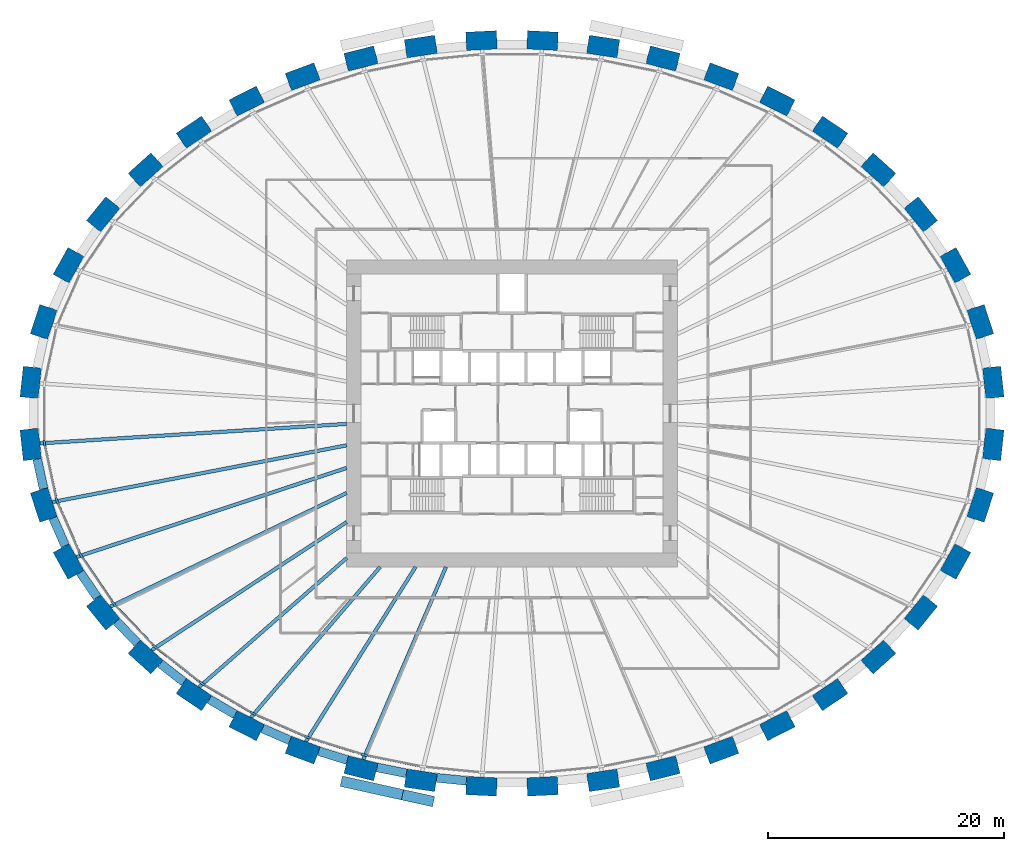
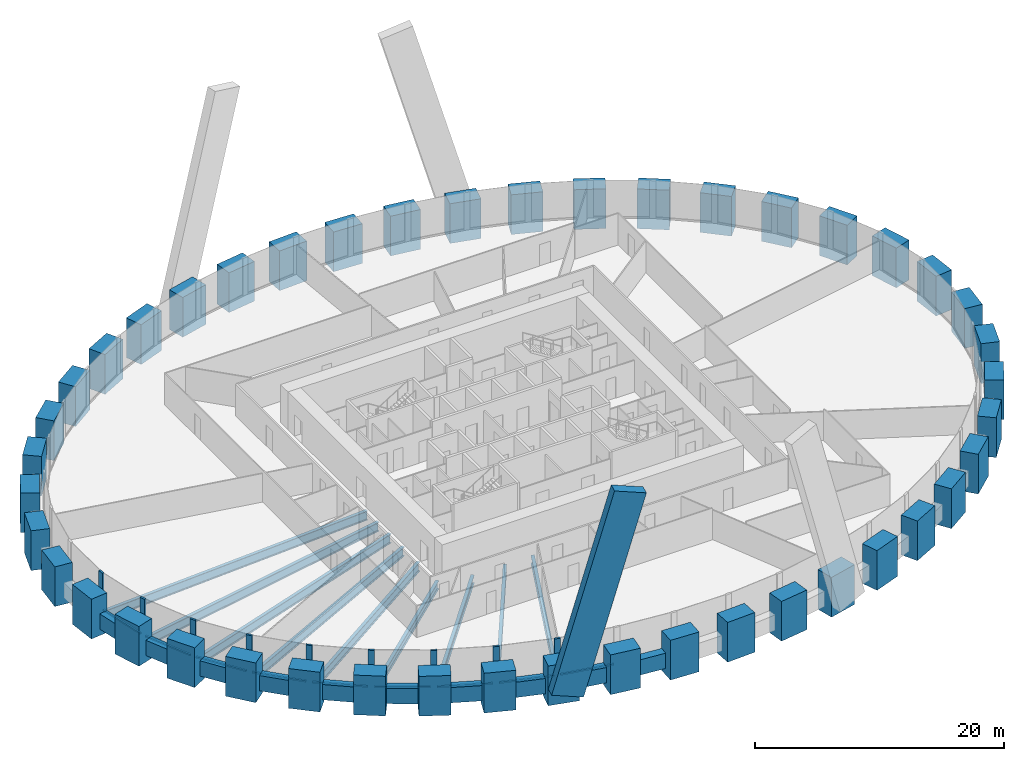
# One storey, part 1 of 11: 44 columns, 19 beams, 19 members, 1 element without a shape of its own.
"""IFC4 building model written with IfcOpenShell, lengths in metres."""

from ifc_helpers import new_model, si_unit, direction, frame, origin, origin_2d, place, context, subcontext, project, spatial, rectangle, i_section, extrude, source, transform, mapped, material, material_profile, profile_set, type_object, element, aggregate, save


model = new_model("IFC4")

# Units and contexts
model_context = context("Model", 3, precision=1e-05, world=origin(), true_north=direction((0.0, 1.0)))
body_context = subcontext(model_context, "Body", "Model", "MODEL_VIEW")
ifc_project = project(units=[si_unit("LENGTHUNIT", "METRE"), si_unit("AREAUNIT", "SQUARE_METRE"), si_unit("VOLUMEUNIT", "CUBIC_METRE"), si_unit("PLANEANGLEUNIT", "RADIAN"), si_unit("MASSUNIT", "GRAM", prefix="KILO")], contexts=[model_context])

# Site, building, storey
site_placement = place(None, origin())
site = spatial("IfcSite", under=ifc_project, at=site_placement, CompositionType="ELEMENT")
building_placement = place(site_placement, origin())
building = spatial("IfcBuilding", under=site, at=building_placement, Name="Embergate Tower", CompositionType="ELEMENT")
storey_placement = place(building_placement, frame((0.0, 0.0, 73.699951171875)))
storey = spatial("IfcBuildingStorey", under=building, at=storey_placement, Name="L14", CompositionType="ELEMENT", Elevation=73.699951171875)

# Columns
ifc_material_1 = material(Name="Concrete C70", Category="concrete")
ifc_material_profile_1 = material_profile(ifc_material_1, rectangle(XDim=1.550048828125, YDim=2.60009765625, at=origin_2d()), Name="RC 1550x2600")
ifc_profile_set_1 = profile_set([ifc_material_profile_1], Name="Concrete C70")
column_type = type_object("IfcColumnType", Name="Ring column RC 1550x2600 C70", PredefinedType="COLUMN", material=ifc_profile_set_1)
shared_shape_1 = source(origin(), body_context, "Body", "SweptSolid", [
    extrude(rectangle(XDim=1.550048828125, YDim=2.60009765625, at=origin_2d()), origin(), (0.0, 0.0, 1.0), 3.89990234375),
])
for number, where, z_axis, x_axis, name in (
    (1, (40.7529296875, 2.623046875, -1.39990234375), (0.0, 0.0, 1.0), (0.99428589498, 0.106749983816, 0.0), "COL-L14-00"),
    (2, (39.65087890625, 7.7470703125, -1.39990234375), (0.0, 0.0, 1.0), (0.950754033697, 0.309946394413, 0.0), "COL-L14-01"),
    (3, (37.550048828125, 12.5380859375, -1.39990234375), (0.0, 0.0, 1.0), (0.873500465855, 0.486823311018, 0.0), "COL-L14-02"),
    (4, (34.615966796875, 16.85302734375, -1.39990234375), (0.0, 0.0, 1.0), (0.775925311702, 0.630824786022, 0.0), "COL-L14-03"),
    (5, (31.02490234375, 20.618896484375, -1.39990234375), (0.0, 0.0, 1.0), (0.669208424634, 0.74307475021, 0.0), "COL-L14-04"),
    (6, (26.930908203125, 23.81396484375, -1.39990234375), (0.0, 0.0, 1.0), (0.560393279442, 0.828226643109, 0.0), "COL-L14-05"),
    (7, (22.464111328125, 26.44091796875, -1.39990234375), (0.0, 0.0, 1.0), (0.453010512651, 0.891505174089, 0.0), "COL-L14-06"),
    (8, (17.721923828125, 28.514892578125, -1.39990234375), (0.0, 0.0, 1.0), (0.348343015724, 0.93736713373, 0.0), "COL-L14-07"),
    (9, (12.785888671875, 30.052001953125, -1.39990234375), (0.0, 0.0, 1.0), (0.24650851817, 0.969140624713, 0.0), "COL-L14-08"),
    (10, (7.720947265625, 31.068115234375, -1.39990234375), (0.0, 0.0, 1.0), (0.146929011949, 0.989147039346, 0.0), "COL-L14-09"),
    (11, (2.58203125, 31.572998046875, -1.39990234375), (0.0, 0.0, 1.0), (0.048814904854, 0.998807841912, 0.0), "COL-L14-10"),
    (12, (-2.58203125, 31.572998046875, -1.39990234375), (0.0, 0.0, 1.0), (-0.048814904854, 0.998807841912, 0.0), "COL-L14-11"),
    (13, (-7.720947265625, 31.068115234375, -1.39990234375), (0.0, 0.0, 1.0), (-0.146929011949, 0.989147039346, 0.0), "COL-L14-12"),
    (14, (-12.785888671875, 30.052001953125, -1.39990234375), (0.0, 0.0, 1.0), (-0.24650851817, 0.969140624713, 0.0), "COL-L14-13"),
    (15, (-17.721923828125, 28.514892578125, -1.39990234375), (0.0, 0.0, 1.0), (-0.348343015724, 0.93736713373, 0.0), "COL-L14-14"),
    (16, (-22.464111328125, 26.44091796875, -1.39990234375), (0.0, 0.0, 1.0), (-0.453010512651, 0.891505174089, 0.0), "COL-L14-15"),
    (17, (-26.930908203125, 23.81396484375, -1.39990234375), (0.0, 0.0, 1.0), (-0.560393279442, 0.828226643109, 0.0), "COL-L14-16"),
    (18, (-31.02490234375, 20.618896484375, -1.39990234375), (0.0, 0.0, 1.0), (-0.669208424634, 0.74307475021, 0.0), "COL-L14-17"),
    (19, (-34.615966796875, 16.85302734375, -1.39990234375), (0.0, 0.0, 1.0), (-0.775925311702, 0.630824786022, 0.0), "COL-L14-18"),
    (20, (-37.550048828125, 12.5380859375, -1.39990234375), (0.0, 0.0, 1.0), (-0.873500465855, 0.486823311018, 0.0), "COL-L14-19"),
    (21, (-39.65087890625, 7.7470703125, -1.39990234375), (0.0, 0.0, 1.0), (-0.950754033697, 0.309946394413, 0.0), "COL-L14-20"),
    (22, (-40.7529296875, 2.623046875, -1.39990234375), (0.0, 0.0, 1.0), (-0.99428589498, 0.106749983816, 0.0), "COL-L14-21"),
    (23, (-40.7529296875, -2.623046875, -1.39990234375), (0.0, 0.0, 1.0), (-0.99428589498, -0.106749983816, 0.0), "COL-L14-22"),
    (24, (-39.65087890625, -7.7470703125, -1.39990234375), (0.0, 0.0, 1.0), (-0.950754033697, -0.309946394413, 0.0), "COL-L14-23"),
    (25, (-37.550048828125, -12.5380859375, -1.39990234375), (0.0, 0.0, 1.0), (-0.873500465855, -0.486823311018, 0.0), "COL-L14-24"),
    (26, (-34.615966796875, -16.85302734375, -1.39990234375), (0.0, 0.0, 1.0), (-0.775925311702, -0.630824786022, 0.0), "COL-L14-25"),
    (27, (-31.02490234375, -20.618896484375, -1.39990234375), (0.0, 0.0, 1.0), (-0.669208424634, -0.74307475021, 0.0), "COL-L14-26"),
    (28, (-26.930908203125, -23.81396484375, -1.39990234375), (0.0, 0.0, 1.0), (-0.560393279442, -0.828226643109, 0.0), "COL-L14-27"),
    (29, (-22.464111328125, -26.44091796875, -1.39990234375), (0.0, 0.0, 1.0), (-0.453010512651, -0.891505174089, 0.0), "COL-L14-28"),
    (30, (-17.721923828125, -28.514892578125, -1.39990234375), (0.0, 0.0, 1.0), (-0.348343015724, -0.93736713373, 0.0), "COL-L14-29"),
    (31, (-12.785888671875, -30.052001953125, -1.39990234375), (0.0, 0.0, 1.0), (-0.24650851817, -0.969140624713, 0.0), "COL-L14-30"),
    (32, (-7.720947265625, -31.068115234375, -1.39990234375), (0.0, 0.0, 1.0), (-0.146929011949, -0.989147039346, 0.0), "COL-L14-31"),
    (33, (-2.58203125, -31.572998046875, -1.39990234375), (0.0, 0.0, 1.0), (-0.048814904854, -0.998807841912, 0.0), "COL-L14-32"),
    (34, (2.58203125, -31.572998046875, -1.39990234375), (0.0, 0.0, 1.0), (0.048814904854, -0.998807841912, 0.0), "COL-L14-33"),
    (35, (7.720947265625, -31.068115234375, -1.39990234375), (0.0, 0.0, 1.0), (0.146929011949, -0.989147039346, 0.0), "COL-L14-34"),
    (36, (12.785888671875, -30.052001953125, -1.39990234375), (0.0, 0.0, 1.0), (0.24650851817, -0.969140624713, 0.0), "COL-L14-35"),
    (37, (17.721923828125, -28.514892578125, -1.39990234375), (0.0, 0.0, 1.0), (0.348343015724, -0.93736713373, 0.0), "COL-L14-36"),
    (38, (22.464111328125, -26.44091796875, -1.39990234375), (0.0, 0.0, 1.0), (0.453010512651, -0.891505174089, 0.0), "COL-L14-37"),
    (39, (26.930908203125, -23.81396484375, -1.39990234375), (0.0, 0.0, 1.0), (0.560393279442, -0.828226643109, 0.0), "COL-L14-38"),
    (40, (31.02490234375, -20.618896484375, -1.39990234375), (0.0, 0.0, 1.0), (0.669208424634, -0.74307475021, 0.0), "COL-L14-39"),
    (41, (34.615966796875, -16.85302734375, -1.39990234375), (0.0, 0.0, 1.0), (0.775925311702, -0.630824786022, 0.0), "COL-L14-40"),
    (42, (37.550048828125, -12.5380859375, -1.39990234375), (0.0, 0.0, 1.0), (0.873500465855, -0.486823311018, 0.0), "COL-L14-41"),
    (43, (39.65087890625, -7.7470703125, -1.39990234375), (0.0, 0.0, 1.0), (0.950754033697, -0.309946394413, 0.0), "COL-L14-42"),
    (44, (40.7529296875, -2.623046875, -1.39990234375), (0.0, 0.0, 1.0), (0.99428589498, -0.106749983816, 0.0), "COL-L14-43"),
):
    element("IfcColumn", number, at=place(storey_placement, frame(where, z_axis=z_axis, x_axis=x_axis)), inside=storey, type_object=column_type, Name=name, PredefinedType="COLUMN", context=body_context, shape_type="MappedRepresentation", body=[
        mapped(shared_shape_1, transform((0.0, 0.0, 0.0))),
    ])

# Beams
ifc_material_profile_2 = material_profile(ifc_material_1, rectangle(XDim=0.75, YDim=1.5, at=origin_2d()), Name="RC 750x1500")
ifc_profile_set_2 = profile_set([ifc_material_profile_2], Name="Concrete C70")
beam_type_1 = type_object("IfcBeamType", Name="Spandrel beam RC 750x1500 C70", PredefinedType="BEAM", material=ifc_profile_set_2)
shared_shape_2 = source(origin(), body_context, "Body", "SweptSolid", [
    extrude(rectangle(XDim=0.75, YDim=1.5, at=origin_2d()), origin(), (0.0, 0.0, 1.0), 2.5498046875),
])
beam_1_placement = place(storey_placement, frame((-33.48388671875, -17.60791015625, 0.0), z_axis=(0.689760361446, -0.724037736432, 0.0), x_axis=(0.724037736432, 0.689760361446, 0.0)))
element("IfcBeam", 45, at=beam_1_placement, inside=storey, type_object=beam_type_1, Name="SPN-L14-25", PredefinedType="BEAM", context=body_context, shape_type="MappedRepresentation", body=[
    mapped(shared_shape_2, transform((0.0, 0.0, 0.0))),
])
shared_shape_3 = source(origin(), body_context, "Body", "SweptSolid", [
    extrude(rectangle(XDim=0.75, YDim=1.5, at=origin_2d()), origin(), (0.0, 0.0, 1.0), 2.5693359375),
])
beam_2_placement = place(storey_placement, frame((-40.201904296875, -3.87109375, 0.0), z_axis=(0.210093623492, -0.977681271871, 0.0), x_axis=(0.977681271871, 0.210093623492, 0.0)))
element("IfcBeam", 46, at=beam_2_placement, inside=storey, type_object=beam_type_1, Name="SPN-L14-22", PredefinedType="BEAM", context=body_context, shape_type="MappedRepresentation", body=[
    mapped(shared_shape_3, transform((0.0, 0.0, 0.0))),
])
shared_shape_4 = source(origin(), body_context, "Body", "SweptSolid", [
    extrude(rectangle(XDim=0.75, YDim=1.5, at=origin_2d()), origin(), (0.0, 0.0, 1.0), 2.56591796875),
])
beam_3_placement = place(storey_placement, frame((-38.862060546875, -8.85693359375, 0.0), z_axis=(0.401427690069, -0.915890719271, 0.0), x_axis=(0.915890719271, 0.401427690069, 0.0)))
element("IfcBeam", 47, at=beam_3_placement, inside=storey, type_object=beam_type_1, Name="SPN-L14-23", PredefinedType="BEAM", context=body_context, shape_type="MappedRepresentation", body=[
    mapped(shared_shape_4, transform((0.0, 0.0, 0.0))),
])
shared_shape_5 = source(origin(), body_context, "Body", "SweptSolid", [
    extrude(rectangle(XDim=0.75, YDim=1.5, at=origin_2d()), origin(), (0.0, 0.0, 1.0), 2.556640625),
])
beam_4_placement = place(storey_placement, frame((-36.555908203125, -13.471923828125, 0.0), z_axis=(0.562432772417, -0.826843018058, 0.0), x_axis=(0.826843018058, 0.562432772417, 0.0)))
element("IfcBeam", 48, at=beam_4_placement, inside=storey, type_object=beam_type_1, Name="SPN-L14-24", PredefinedType="BEAM", context=body_context, shape_type="MappedRepresentation", body=[
    mapped(shared_shape_5, transform((0.0, 0.0, 0.0))),
])
shared_shape_6 = source(origin(), body_context, "Body", "SweptSolid", [
    extrude(rectangle(XDim=0.75, YDim=1.5, at=origin_2d()), origin(), (0.0, 0.0, 1.0), 2.542724609375),
])
beam_5_placement = place(storey_placement, frame((-29.783935546875, -21.18408203125, 0.0), z_axis=(0.788472504965, -0.615070003264, 0.0), x_axis=(0.615070003264, 0.788472504965, 0.0)))
element("IfcBeam", 49, at=beam_5_placement, inside=storey, type_object=beam_type_1, Name="SPN-L14-26", PredefinedType="BEAM", context=body_context, shape_type="MappedRepresentation", body=[
    mapped(shared_shape_6, transform((0.0, 0.0, 0.0))),
])
shared_shape_7 = source(origin(), body_context, "Body", "SweptSolid", [
    extrude(rectangle(XDim=0.75, YDim=1.5, at=origin_2d()), origin(), (0.0, 0.0, 1.0), 2.537109375),
])
beam_6_placement = place(storey_placement, frame((-25.62890625, -24.2099609375, 0.0), z_axis=(0.861993577549, -0.506919196978, 0.0), x_axis=(0.506919196978, 0.861993577549, 0.0)))
element("IfcBeam", 50, at=beam_6_placement, inside=storey, type_object=beam_type_1, Name="SPN-L14-27", PredefinedType="BEAM", context=body_context, shape_type="MappedRepresentation", body=[
    mapped(shared_shape_7, transform((0.0, 0.0, 0.0))),
])
shared_shape_8 = source(origin(), body_context, "Body", "SweptSolid", [
    extrude(rectangle(XDim=0.75, YDim=1.5, at=origin_2d()), origin(), (0.0, 0.0, 1.0), 2.53466796875),
])
beam_7_placement = place(storey_placement, frame((-21.1259765625, -26.677978515625, 0.0), z_axis=(0.91612417153, -0.400894627474, 0.0), x_axis=(0.400894627474, 0.91612417153, 0.0)))
element("IfcBeam", 51, at=beam_7_placement, inside=storey, type_object=beam_type_1, Name="SPN-L14-28", PredefinedType="BEAM", context=body_context, shape_type="MappedRepresentation", body=[
    mapped(shared_shape_8, transform((0.0, 0.0, 0.0))),
])
shared_shape_9 = source(origin(), body_context, "Body", "SweptSolid", [
    extrude(rectangle(XDim=0.75, YDim=1.5, at=origin_2d()), origin(), (0.0, 0.0, 1.0), 2.5322265625),
])
beam_8_placement = place(storey_placement, frame((-16.367919921875, -28.60302734375, 0.0), z_axis=(0.954890803875, -0.296957156294, 0.0), x_axis=(0.296957156294, 0.954890803875, 0.0)))
element("IfcBeam", 52, at=beam_8_placement, inside=storey, type_object=beam_type_1, Name="SPN-L14-29", PredefinedType="BEAM", context=body_context, shape_type="MappedRepresentation", body=[
    mapped(shared_shape_9, transform((0.0, 0.0, 0.0))),
])
shared_shape_10 = source(origin(), body_context, "Body", "SweptSolid", [
    extrude(rectangle(XDim=0.75, YDim=1.5, at=origin_2d()), origin(), (0.0, 0.0, 1.0), 2.5283203125),
])
beam_9_placement = place(storey_placement, frame((-11.426025390625, -29.97900390625, 0.0), z_axis=(0.980483995477, -0.19659891814, 0.0), x_axis=(0.19659891814, 0.980483995477, 0.0)))
element("IfcBeam", 53, at=beam_9_placement, inside=storey, type_object=beam_type_1, Name="SPN-L14-30", PredefinedType="BEAM", context=body_context, shape_type="MappedRepresentation", body=[
    mapped(shared_shape_10, transform((0.0, 0.0, 0.0))),
])
shared_shape_11 = source(origin(), body_context, "Body", "SweptSolid", [
    extrude(rectangle(XDim=0.75, YDim=1.5, at=origin_2d()), origin(), (0.0, 0.0, 1.0), 2.52685546875),
])
beam_10_placement = place(storey_placement, frame((-6.3759765625, -30.860107421875, 0.0), z_axis=(0.995218218031, -0.097676499217, 0.0), x_axis=(0.097676499217, 0.995218218031, 0.0)))
element("IfcBeam", 54, at=beam_10_placement, inside=storey, type_object=beam_type_1, Name="SPN-L14-31", PredefinedType="BEAM", context=body_context, shape_type="MappedRepresentation", body=[
    mapped(shared_shape_11, transform((0.0, 0.0, 0.0))),
])
ifc_material_2 = material(Name="Steel Q355B", Category="steel")
ifc_material_profile_3 = material_profile(ifc_material_2, i_section(OverallWidth=0.300048828125, OverallDepth=0.89990234375, WebThickness=0.01611328125, FlangeThickness=0.028076171875, FilletRadius=0.028076171875, at=origin_2d()), Name="HN 900x300x16x28")
ifc_profile_set_3 = profile_set([ifc_material_profile_3], Name="Steel Q355 grade B")
beam_type_2 = type_object("IfcBeamType", Name="Radial girder HN 900x300x16x28", PredefinedType="BEAM", material=ifc_profile_set_3)
shared_shape_12 = source(origin(), body_context, "Body", "SweptSolid", [
    extrude(i_section(OverallWidth=0.300048828125, OverallDepth=0.89990234375, WebThickness=0.01611328125, FlangeThickness=0.028076171875, FilletRadius=0.028076171875, at=origin_2d()), origin(), (0.0, 0.0, 1.0), 26.034423828125),
])
beam_11_placement = place(storey_placement, frame((-39.98193359375, -2.5400390625, -0.64990234375), z_axis=(0.997986864702, 0.063420957753, 0.0), x_axis=(-0.063420957753, 0.997986864702, 0.0)))
element("IfcBeam", 55, at=beam_11_placement, inside=storey, type_object=beam_type_2, Name="GIR-L14-22", PredefinedType="BEAM", context=body_context, shape_type="MappedRepresentation", body=[
    mapped(shared_shape_12, transform((0.0, 0.0, 0.0))),
])
shared_shape_13 = source(origin(), body_context, "Body", "SweptSolid", [
    extrude(i_section(OverallWidth=0.300048828125, OverallDepth=0.89990234375, WebThickness=0.01611328125, FlangeThickness=0.028076171875, FilletRadius=0.028076171875, at=origin_2d()), origin(), (0.0, 0.0, 1.0), 25.373291015625),
])
beam_12_placement = place(storey_placement, frame((-38.9140625, -7.507080078125, -0.64990234375), z_axis=(0.981896748495, 0.189416935078, 0.0), x_axis=(-0.189416935078, 0.981896748495, 0.0)))
element("IfcBeam", 56, at=beam_12_placement, inside=storey, type_object=beam_type_2, Name="GIR-L14-23", PredefinedType="BEAM", context=body_context, shape_type="MappedRepresentation", body=[
    mapped(shared_shape_13, transform((0.0, 0.0, 0.0))),
])
shared_shape_14 = source(origin(), body_context, "Body", "SweptSolid", [
    extrude(i_section(OverallWidth=0.300048828125, OverallDepth=0.89990234375, WebThickness=0.01611328125, FlangeThickness=0.028076171875, FilletRadius=0.028076171875, at=origin_2d()), origin(), (0.0, 0.0, 1.0), 24.0849609375),
])
beam_13_placement = place(storey_placement, frame((-36.873046875, -12.160888671875, -0.64990234375), z_axis=(0.949680038857, 0.313221684748, 0.0), x_axis=(-0.313221684748, 0.949680038857, 0.0)))
element("IfcBeam", 57, at=beam_13_placement, inside=storey, type_object=beam_type_2, Name="GIR-L14-24", PredefinedType="BEAM", context=body_context, shape_type="MappedRepresentation", body=[
    mapped(shared_shape_14, transform((0.0, 0.0, 0.0))),
])
shared_shape_15 = source(origin(), body_context, "Body", "SweptSolid", [
    extrude(i_section(OverallWidth=0.300048828125, OverallDepth=0.89990234375, WebThickness=0.01611328125, FlangeThickness=0.028076171875, FilletRadius=0.028076171875, at=origin_2d()), origin(), (0.0, 0.0, 1.0), 22.210693359375),
])
beam_14_placement = place(storey_placement, frame((-34.014892578125, -16.364013671875, -0.64990234375), z_axis=(0.90114054222, 0.433527073165, 0.0), x_axis=(-0.433527073165, 0.90114054222, 0.0)))
element("IfcBeam", 58, at=beam_14_placement, inside=storey, type_object=beam_type_2, Name="GIR-L14-25", PredefinedType="BEAM", context=body_context, shape_type="MappedRepresentation", body=[
    mapped(shared_shape_15, transform((0.0, 0.0, 0.0))),
])
shared_shape_16 = source(origin(), body_context, "Body", "SweptSolid", [
    extrude(i_section(OverallWidth=0.300048828125, OverallDepth=0.89990234375, WebThickness=0.01611328125, FlangeThickness=0.028076171875, FilletRadius=0.028076171875, at=origin_2d()), origin(), (0.0, 0.0, 1.0), 19.75),
])
beam_15_placement = place(storey_placement, frame((-30.506103515625, -20.04296875, -0.64990234375), z_axis=(0.835749566876, 0.549110791614, 0.0), x_axis=(-0.549110791614, 0.835749566876, 0.0)))
element("IfcBeam", 59, at=beam_15_placement, inside=storey, type_object=beam_type_2, Name="GIR-L14-26", PredefinedType="BEAM", context=body_context, shape_type="MappedRepresentation", body=[
    mapped(shared_shape_16, transform((0.0, 0.0, 0.0))),
])
ifc_material_profile_4 = material_profile(ifc_material_2, i_section(OverallWidth=0.300048828125, OverallDepth=0.800048828125, WebThickness=0.013916015625, FlangeThickness=0.02587890625, FilletRadius=0.028076171875, at=origin_2d()), Name="HN 800x300x14x26")
ifc_profile_set_4 = profile_set([ifc_material_profile_4], Name="Steel Q355 grade B")
beam_type_3 = type_object("IfcBeamType", Name="Radial girder HN 800x300x14x26", PredefinedType="BEAM", material=ifc_profile_set_4)
shared_shape_17 = source(origin(), body_context, "Body", "SweptSolid", [
    extrude(i_section(OverallWidth=0.300048828125, OverallDepth=0.800048828125, WebThickness=0.013916015625, FlangeThickness=0.02587890625, FilletRadius=0.028076171875, at=origin_2d()), origin(), (0.0, 0.0, 1.0), 16.60205078125),
])
beam_16_placement = place(storey_placement, frame((-26.4970703125, -23.172119140625, -0.599853515625), z_axis=(0.752747930404, 0.65830885857, 0.0), x_axis=(-0.65830885857, 0.752747930404, 0.0)))
element("IfcBeam", 60, at=beam_16_placement, inside=storey, type_object=beam_type_3, Name="GIR-L14-27", PredefinedType="BEAM", context=body_context, shape_type="MappedRepresentation", body=[
    mapped(shared_shape_17, transform((0.0, 0.0, 0.0))),
])
shared_shape_18 = source(origin(), body_context, "Body", "SweptSolid", [
    extrude(i_section(OverallWidth=0.300048828125, OverallDepth=0.800048828125, WebThickness=0.013916015625, FlangeThickness=0.02587890625, FilletRadius=0.028076171875, at=origin_2d()), origin(), (0.0, 0.0, 1.0), 16.805908203125),
])
beam_17_placement = place(storey_placement, frame((-22.113037109375, -25.75, -0.599853515625), z_axis=(0.651490955051, 0.758656401467, 0.0), x_axis=(-0.758656401467, 0.651490955051, 0.0)))
element("IfcBeam", 61, at=beam_17_placement, inside=storey, type_object=beam_type_3, Name="GIR-L14-28", PredefinedType="BEAM", context=body_context, shape_type="MappedRepresentation", body=[
    mapped(shared_shape_18, transform((0.0, 0.0, 0.0))),
])
shared_shape_19 = source(origin(), body_context, "Body", "SweptSolid", [
    extrude(i_section(OverallWidth=0.300048828125, OverallDepth=0.800048828125, WebThickness=0.013916015625, FlangeThickness=0.02587890625, FilletRadius=0.028076171875, at=origin_2d()), origin(), (0.0, 0.0, 1.0), 17.463623046875),
])
beam_18_placement = place(storey_placement, frame((-17.451904296875, -27.7890625, -0.599853515625), z_axis=(0.531837384954, 0.846846500828, 0.0), x_axis=(-0.846846500828, 0.531837384954, 0.0)))
element("IfcBeam", 62, at=beam_18_placement, inside=storey, type_object=beam_type_3, Name="GIR-L14-29", PredefinedType="BEAM", context=body_context, shape_type="MappedRepresentation", body=[
    mapped(shared_shape_19, transform((0.0, 0.0, 0.0))),
])
shared_shape_20 = source(origin(), body_context, "Body", "SweptSolid", [
    extrude(i_section(OverallWidth=0.300048828125, OverallDepth=0.800048828125, WebThickness=0.013916015625, FlangeThickness=0.02587890625, FilletRadius=0.028076171875, at=origin_2d()), origin(), (0.0, 0.0, 1.0), 17.7431640625),
])
beam_19_placement = place(storey_placement, frame((-12.594970703125, -29.301025390625, -0.599853515625), z_axis=(0.394915454917, 0.918717466617, 0.0), x_axis=(-0.918717466617, 0.394915454917, 0.0)))
element("IfcBeam", 63, at=beam_19_placement, inside=storey, type_object=beam_type_3, Name="GIR-L14-30", PredefinedType="BEAM", context=body_context, shape_type="MappedRepresentation", body=[
    mapped(shared_shape_20, transform((0.0, 0.0, 0.0))),
])

# Member
ifc_material_profile_5 = material_profile(ifc_material_1, rectangle(XDim=0.89990234375, YDim=2.800048828125, at=origin_2d()), Name="RC 900x2800")
ifc_profile_set_5 = profile_set([ifc_material_profile_5], Name="Concrete C70")
member_type_1 = type_object("IfcMemberType", Name="Lattice diagonal terracotta-faced RC 900x2800", PredefinedType="BRACE", material=ifc_profile_set_5)
shared_shape_21 = source(origin(), body_context, "Body", "SweptSolid", [
    extrude(rectangle(XDim=0.89990234375, YDim=2.800048828125, at=origin_2d()), origin(), (0.0, 0.0, 1.0), 19.676025390625),
])
member_1_placement = place(storey_placement, frame((-13.136962890625, -31.43310546875, 0.032958984375), z_axis=(0.26326188812, -0.05844198016, 0.962952601751), x_axis=(0.216716091224, 0.976234672507, 0.0)))
element("IfcMember", 64, at=member_1_placement, inside=storey, type_object=member_type_1, Name="BRP-S-0-03", PredefinedType="BRACE", context=body_context, shape_type="MappedRepresentation", body=[
    mapped(shared_shape_21, transform((0.0, 0.0, 0.0))),
])

# Curtain wall, members
ifc_material_3 = material(Name="Aluminium and glass", Category="aluminium")
curtain_wall_type = type_object("IfcCurtainWallType", Name="Recessed office glazing", PredefinedType="NOTDEFINED", material=ifc_material_3)
curtain_wall_placement = place(storey_placement, origin())
curtain_wall = element("IfcCurtainWall", 65, at=curtain_wall_placement, inside=storey, type_object=curtain_wall_type, Name="Recessed office glazing ring", ObjectType="RECESSED OFFICE GLAZING", PredefinedType="USERDEFINED")
ifc_material_4 = material(Name="Aluminium, thermally broken", Category="aluminium")
ifc_material_profile_6 = material_profile(ifc_material_4, rectangle(XDim=0.179931640625, YDim=0.52001953125, at=origin_2d()), Name="AL 520x180")
ifc_profile_set_6 = profile_set([ifc_material_profile_6], Name="Aluminium, thermally broken")
member_type_2 = type_object("IfcMemberType", Name="Office mullion", PredefinedType="MULLION", material=ifc_profile_set_6)
shared_shape_22 = source(origin(), body_context, "Body", "SweptSolid", [
    extrude(rectangle(XDim=0.179931640625, YDim=0.52001953125, at=origin_2d()), origin(), (0.0, 0.0, 1.0), 3.699951171875),
])
member_2_placement = place(storey_placement, frame((-39.59521484375, -2.498291015625, 0.0), z_axis=(0.0, 0.0, 1.0), x_axis=(0.994385324123, 0.105819786286, 0.0)))
member_2 = element("IfcMember", 66, at=member_2_placement, type_object=member_type_2, Name="CW mullion 23", PredefinedType="MULLION", context=body_context, shape_type="MappedRepresentation", body=[
    mapped(shared_shape_22, transform((0.0, 0.0, 0.0))),
])
member_3_placement = place(storey_placement, frame((-38.543212890625, -7.3857421875, 0.0), z_axis=(0.0, 0.0, 1.0), x_axis=(0.951501019702, 0.307645590748, 0.0)))
member_3 = element("IfcMember", 67, at=member_3_placement, type_object=member_type_2, Name="CW mullion 24", PredefinedType="MULLION", context=body_context, shape_type="MappedRepresentation", body=[
    mapped(shared_shape_22, transform((0.0, 0.0, 0.0))),
])
member_4_placement = place(storey_placement, frame((-36.532470703125, -11.970458984375, 0.0), z_axis=(0.0, 0.0, 1.0), x_axis=(0.875007810402, 0.484108801547, 0.0)))
member_4 = element("IfcMember", 68, at=member_4_placement, type_object=member_type_2, Name="CW mullion 25", PredefinedType="MULLION", context=body_context, shape_type="MappedRepresentation", body=[
    mapped(shared_shape_22, transform((0.0, 0.0, 0.0))),
])
member_5_placement = place(storey_placement, frame((-33.712158203125, -16.11767578125, 0.0), z_axis=(0.0, 0.0, 1.0), x_axis=(0.777880241921, 0.628412547002, 0.0)))
member_5 = element("IfcMember", 69, at=member_5_placement, type_object=member_type_2, Name="CW mullion 26", PredefinedType="MULLION", context=body_context, shape_type="MappedRepresentation", body=[
    mapped(shared_shape_22, transform((0.0, 0.0, 0.0))),
])
member_6_placement = place(storey_placement, frame((-30.2451171875, -19.75341796875, 0.0), z_axis=(0.0, 0.0, 1.0), x_axis=(0.671234296295, 0.74124524921, 0.0)))
member_6 = element("IfcMember", 70, at=member_6_placement, type_object=member_type_2, Name="CW mullion 27", PredefinedType="MULLION", context=body_context, shape_type="MappedRepresentation", body=[
    mapped(shared_shape_22, transform((0.0, 0.0, 0.0))),
])
member_7_placement = place(storey_placement, frame((-26.278564453125, -22.849365234375, 0.0), z_axis=(0.0, 0.0, 1.0), x_axis=(0.562223392005, 0.826985403428, 0.0)))
member_7 = element("IfcMember", 71, at=member_7_placement, type_object=member_type_2, Name="CW mullion 28", PredefinedType="MULLION", context=body_context, shape_type="MappedRepresentation", body=[
    mapped(shared_shape_22, transform((0.0, 0.0, 0.0))),
])
member_8_placement = place(storey_placement, frame((-21.935791015625, -25.402587890625, 0.0), z_axis=(0.0, 0.0, 1.0), x_axis=(0.454516044429, 0.890738550506, 0.0)))
member_8 = element("IfcMember", 72, at=member_8_placement, type_object=member_type_2, Name="CW mullion 29", PredefinedType="MULLION", context=body_context, shape_type="MappedRepresentation", body=[
    mapped(shared_shape_22, transform((0.0, 0.0, 0.0))),
])
member_9_placement = place(storey_placement, frame((-17.31591796875, -27.422607421875, 0.0), z_axis=(0.0, 0.0, 1.0), x_axis=(0.349507588628, 0.936933533124, 0.0)))
member_9 = element("IfcMember", 73, at=member_9_placement, type_object=member_type_2, Name="CW mullion 30", PredefinedType="MULLION", context=body_context, shape_type="MappedRepresentation", body=[
    mapped(shared_shape_22, transform((0.0, 0.0, 0.0))),
])
member_10_placement = place(storey_placement, frame((-12.498779296875, -28.9228515625, 0.0), z_axis=(0.0, 0.0, 1.0), x_axis=(0.247315263593, 0.968935065107, 0.0)))
member_10 = element("IfcMember", 74, at=member_10_placement, type_object=member_type_2, Name="CW mullion 31", PredefinedType="MULLION", context=body_context, shape_type="MappedRepresentation", body=[
    mapped(shared_shape_22, transform((0.0, 0.0, 0.0))),
])
ifc_material_profile_7 = material_profile(ifc_material_4, rectangle(XDim=0.179931640625, YDim=0.14990234375, at=origin_2d()), Name="AL 150x180")
ifc_profile_set_7 = profile_set([ifc_material_profile_7], Name="Aluminium, thermally broken")
member_type_3 = type_object("IfcMemberType", Name="Office sill transom", PredefinedType="USERDEFINED", material=ifc_profile_set_7)
shared_shape_23 = source(origin(), body_context, "Body", "SweptSolid", [
    extrude(rectangle(XDim=0.179931640625, YDim=0.14990234375, at=origin_2d()), origin(), (0.0, 0.0, 1.0), 4.50390625),
])
member_11_placement = place(storey_placement, frame((-33.53271484375, -16.305908203125, 0.074951171875), z_axis=(0.69015852771, -0.723658211194, 0.0), x_axis=(0.723658211194, 0.69015852771, 0.0)))
member_11 = element("IfcMember", 75, at=member_11_placement, type_object=member_type_3, Name="CW transom 26.1", ObjectType="TRANSOM", PredefinedType="USERDEFINED", context=body_context, shape_type="MappedRepresentation", body=[
    mapped(shared_shape_23, transform((0.0, 0.0, 0.0))),
])
shared_shape_24 = source(origin(), body_context, "Body", "SweptSolid", [
    extrude(rectangle(XDim=0.179931640625, YDim=0.14990234375, at=origin_2d()), origin(), (0.0, 0.0, 1.0), 4.4794921875),
])
member_12_placement = place(storey_placement, frame((-39.540283203125, -2.75244140625, 0.074951171875), z_axis=(0.210381382065, -0.977619391216, 0.0), x_axis=(0.977619391216, 0.210381382065, 0.0)))
member_12 = element("IfcMember", 76, at=member_12_placement, type_object=member_type_3, Name="CW transom 23.1", ObjectType="TRANSOM", PredefinedType="USERDEFINED", context=body_context, shape_type="MappedRepresentation", body=[
    mapped(shared_shape_24, transform((0.0, 0.0, 0.0))),
])
shared_shape_25 = source(origin(), body_context, "Body", "SweptSolid", [
    extrude(rectangle(XDim=0.179931640625, YDim=0.14990234375, at=origin_2d()), origin(), (0.0, 0.0, 1.0), 4.486328125),
])
member_13_placement = place(storey_placement, frame((-38.43896484375, -7.623779296875, 0.074951171875), z_axis=(0.401655089719, -0.915791018138, 0.0), x_axis=(0.915791018138, 0.401655089719, 0.0)))
member_13 = element("IfcMember", 77, at=member_13_placement, type_object=member_type_3, Name="CW transom 24.1", ObjectType="TRANSOM", PredefinedType="USERDEFINED", context=body_context, shape_type="MappedRepresentation", body=[
    mapped(shared_shape_25, transform((0.0, 0.0, 0.0))),
])
shared_shape_26 = source(origin(), body_context, "Body", "SweptSolid", [
    extrude(rectangle(XDim=0.179931640625, YDim=0.14990234375, at=origin_2d()), origin(), (0.0, 0.0, 1.0), 4.4951171875),
])
member_14_placement = place(storey_placement, frame((-36.38623046875, -12.185546875, 0.074951171875), z_axis=(0.562347159837, -0.826901246718, 0.0), x_axis=(0.826901246718, 0.562347159837, 0.0)))
member_14 = element("IfcMember", 78, at=member_14_placement, type_object=member_type_3, Name="CW transom 25.1", ObjectType="TRANSOM", PredefinedType="USERDEFINED", context=body_context, shape_type="MappedRepresentation", body=[
    mapped(shared_shape_26, transform((0.0, 0.0, 0.0))),
])
shared_shape_27 = source(origin(), body_context, "Body", "SweptSolid", [
    extrude(rectangle(XDim=0.179931640625, YDim=0.14990234375, at=origin_2d()), origin(), (0.0, 0.0, 1.0), 4.511474609375),
])
member_15_placement = place(storey_placement, frame((-30.0400390625, -19.91357421875, 0.074951171875), z_axis=(0.788345870827, -0.615232304052, 0.0), x_axis=(0.615232304052, 0.788345870827, 0.0)))
member_15 = element("IfcMember", 79, at=member_15_placement, type_object=member_type_3, Name="CW transom 27.1", ObjectType="TRANSOM", PredefinedType="USERDEFINED", context=body_context, shape_type="MappedRepresentation", body=[
    mapped(shared_shape_27, transform((0.0, 0.0, 0.0))),
])
shared_shape_28 = source(origin(), body_context, "Body", "SweptSolid", [
    extrude(rectangle(XDim=0.179931640625, YDim=0.14990234375, at=origin_2d()), origin(), (0.0, 0.0, 1.0), 4.517578125),
])
member_16_placement = place(storey_placement, frame((-26.054443359375, -22.981201171875, 0.074951171875), z_axis=(0.862064774491, -0.506798110279, 0.0), x_axis=(0.506798110279, 0.862064774491, 0.0)))
member_16 = element("IfcMember", 80, at=member_16_placement, type_object=member_type_3, Name="CW transom 28.1", ObjectType="TRANSOM", PredefinedType="USERDEFINED", context=body_context, shape_type="MappedRepresentation", body=[
    mapped(shared_shape_28, transform((0.0, 0.0, 0.0))),
])
shared_shape_29 = source(origin(), body_context, "Body", "SweptSolid", [
    extrude(rectangle(XDim=0.179931640625, YDim=0.14990234375, at=origin_2d()), origin(), (0.0, 0.0, 1.0), 4.522216796875),
])
member_17_placement = place(storey_placement, frame((-21.697509765625, -25.506591796875, 0.074951171875), z_axis=(0.916232902024, -0.400646064812, 0.0), x_axis=(0.400646064812, 0.916232902024, 0.0)))
member_17 = element("IfcMember", 81, at=member_17_placement, type_object=member_type_3, Name="CW transom 29.1", ObjectType="TRANSOM", PredefinedType="USERDEFINED", context=body_context, shape_type="MappedRepresentation", body=[
    mapped(shared_shape_29, transform((0.0, 0.0, 0.0))),
])
shared_shape_30 = source(origin(), body_context, "Body", "SweptSolid", [
    extrude(rectangle(XDim=0.179931640625, YDim=0.14990234375, at=origin_2d()), origin(), (0.0, 0.0, 1.0), 4.525390625),
])
member_18_placement = place(storey_placement, frame((-17.067626953125, -27.5, 0.074951171875), z_axis=(0.954780911234, -0.297310295051, 0.0), x_axis=(0.297310295051, 0.954780911234, 0.0)))
member_18 = element("IfcMember", 82, at=member_18_placement, type_object=member_type_3, Name="CW transom 30.1", ObjectType="TRANSOM", PredefinedType="USERDEFINED", context=body_context, shape_type="MappedRepresentation", body=[
    mapped(shared_shape_30, transform((0.0, 0.0, 0.0))),
])
shared_shape_31 = source(origin(), body_context, "Body", "SweptSolid", [
    extrude(rectangle(XDim=0.179931640625, YDim=0.14990234375, at=origin_2d()), origin(), (0.0, 0.0, 1.0), 4.52783203125),
])
member_19_placement = place(storey_placement, frame((-12.243896484375, -28.97412109375, 0.074951171875), z_axis=(0.980485162379, -0.19659309844, 0.0), x_axis=(0.19659309844, 0.980485162379, 0.0)))
member_19 = element("IfcMember", 83, at=member_19_placement, type_object=member_type_3, Name="CW transom 31.1", ObjectType="TRANSOM", PredefinedType="USERDEFINED", context=body_context, shape_type="MappedRepresentation", body=[
    mapped(shared_shape_31, transform((0.0, 0.0, 0.0))),
])
aggregate(curtain_wall, [member_2, member_3, member_4, member_5, member_6, member_7, member_8, member_9, member_10, member_12, member_13, member_14, member_11, member_15, member_16, member_17, member_18, member_19])

save(model, "model.ifc")
